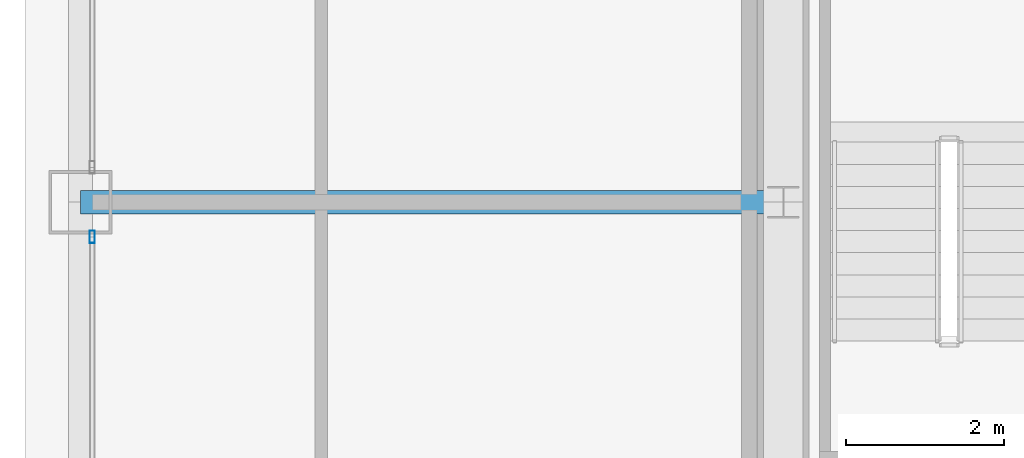
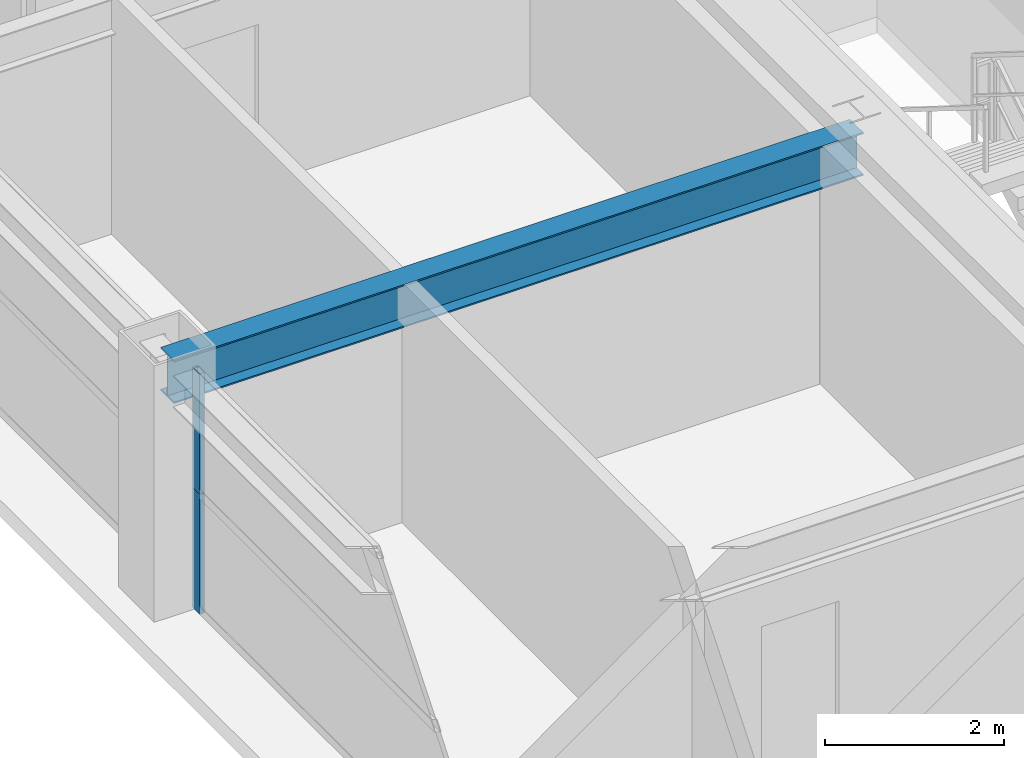
# One storey, part 16 of 45: 2 members, 1 beam, 1 element without a shape of its own.
"""IFC4 building model written with IfcOpenShell, lengths in metres."""

from ifc_helpers import new_model, si_unit, direction, frame, origin, origin_2d, place, context, subcontext, project, spatial, hollow_rectangle, i_section, extrude, source, transform, mapped, material, layer, layer_set, material_profile, profile_set, type_object, element, aggregate, save


model = new_model("IFC4")

# Units and contexts
model_context = context("Model", 3, precision=1e-05, world=origin(), true_north=direction((0.0, 1.0)))
body_context = subcontext(model_context, "Body", "Model", "MODEL_VIEW")
ifc_project = project(units=[si_unit("LENGTHUNIT", "METRE"), si_unit("AREAUNIT", "SQUARE_METRE"), si_unit("VOLUMEUNIT", "CUBIC_METRE"), si_unit("PLANEANGLEUNIT", "RADIAN"), si_unit("MASSUNIT", "GRAM", prefix="KILO"), si_unit("THERMODYNAMICTEMPERATUREUNIT", "KELVIN"), si_unit("POWERUNIT", "WATT")], contexts=[model_context])

# Site, building, storey
site_placement = place(None, origin())
site = spatial("IfcSite", under=ifc_project, at=site_placement, CompositionType="ELEMENT")
building_placement = place(site_placement, origin())
building = spatial("IfcBuilding", under=site, at=building_placement, Name="Yuzanri Waterfront Tower", CompositionType="ELEMENT")
storey_placement = place(building_placement, frame((0.0, 0.0, 198.5)))
storey = spatial("IfcBuildingStorey", under=building, at=storey_placement, Name="L52", CompositionType="ELEMENT", Elevation=198.5)

# Beam
ifc_material_1 = material(Name="Steel Q355B", Category="steel")
ifc_material_profile_1 = material_profile(ifc_material_1, i_section(OverallWidth=0.300048828125, OverallDepth=0.587890625, WebThickness=0.011962890625, FlangeThickness=0.02001953125, at=origin_2d()), Name="HM 588x300x12x20")
ifc_profile_set_1 = profile_set([ifc_material_profile_1], Name="Steel Q355B")
beam_type = type_object("IfcBeamType", Name="Primary Floor Girder Q355B HM 588x300", PredefinedType="BEAM", material=ifc_profile_set_1)
shared_shape_1 = source(origin(), body_context, "Body", "SweptSolid", [
    extrude(i_section(OverallWidth=0.300048828125, OverallDepth=0.587890625, WebThickness=0.011962890625, FlangeThickness=0.02001953125, at=origin_2d()), origin(), (0.0, 0.0, 1.0), 8.900146484375),
])
beam_placement = place(storey_placement, frame((23.800048828125, 25.800048828125, 2.986083984375), z_axis=(-1.0, 0.0, 0.0), x_axis=(0.0, -1.0, 0.0)))
element("IfcBeam", 1, at=beam_placement, inside=storey, type_object=beam_type, Name="L52 West Grid Girder", PredefinedType="BEAM", context=body_context, shape_type="MappedRepresentation", body=[
    mapped(shared_shape_1, transform((0.0, 0.0, 0.0), scale=1.0)),
])

# Curtain wall, members
ifc_material_2 = material(Name="Anodized Architectural Bronze", Category="metal")
ifc_layer = layer(ifc_material_2, 0.159912109375)
ifc_layer_set = layer_set([ifc_layer], Name="Anodized Architectural Bronze")
curtain_wall_type = type_object("IfcCurtainWallType", Name="Anodized Bronze Mid-Rise Residential Acoustic Unitized Curtain Wall 7200", PredefinedType="NOTDEFINED", material=ifc_layer_set)
curtain_wall_placement = place(storey_placement, origin())
curtain_wall = element("IfcCurtainWall", 2, at=curtain_wall_placement, inside=storey, type_object=curtain_wall_type, Name="L52 Curtain Wall CW-L52-WL", PredefinedType="NOTDEFINED")
ifc_material_3 = material(Name="Anodized Architectural Bronze", Category="metal")
ifc_material_profile_2 = material_profile(ifc_material_3, hollow_rectangle(XDim=0.06494140625, YDim=0.159912109375, WallThickness=0.00341796875, at=origin_2d()), Name="CWM 65x160")
ifc_profile_set_2 = profile_set([ifc_material_profile_2], Name="Anodized Architectural Bronze")
member_type = type_object("IfcMemberType", Name="Anodized Bronze Upper-Zone Curtain-Wall Mullion 65x160", PredefinedType="MULLION", material=ifc_profile_set_2)
shared_shape_2 = source(origin(), body_context, "Body", "SweptSolid", [
    extrude(hollow_rectangle(XDim=0.06494140625, YDim=0.159912109375, WallThickness=0.00341796875, at=origin_2d()), origin(), (0.0, 0.0, 1.0), 1.637939453125),
])
member_1_placement = place(storey_placement, frame((15.050048828125, 25.360107421875, 0.0), z_axis=(0.0, 0.0, 1.0), x_axis=(1.0, 0.0, 0.0)))
member_1 = element("IfcMember", 3, at=member_1_placement, type_object=member_type, Name="CW-L52-WL Lower Mullion 02", PredefinedType="MULLION", context=body_context, shape_type="MappedRepresentation", body=[
    mapped(shared_shape_2, transform((0.0, 0.0, 0.0), scale=1.0)),
])
member_2_placement = place(storey_placement, frame((15.050048828125, 25.360107421875, 1.64208984375), z_axis=(0.0, 0.0, 1.0), x_axis=(1.0, 0.0, 0.0)))
member_2 = element("IfcMember", 4, at=member_2_placement, type_object=member_type, Name="CW-L52-WL Upper Mullion 02", PredefinedType="MULLION", context=body_context, shape_type="MappedRepresentation", body=[
    mapped(shared_shape_2, transform((0.0, 0.0, 0.0), scale=1.0)),
])
aggregate(curtain_wall, [member_1, member_2])

save(model, "model.ifc")
